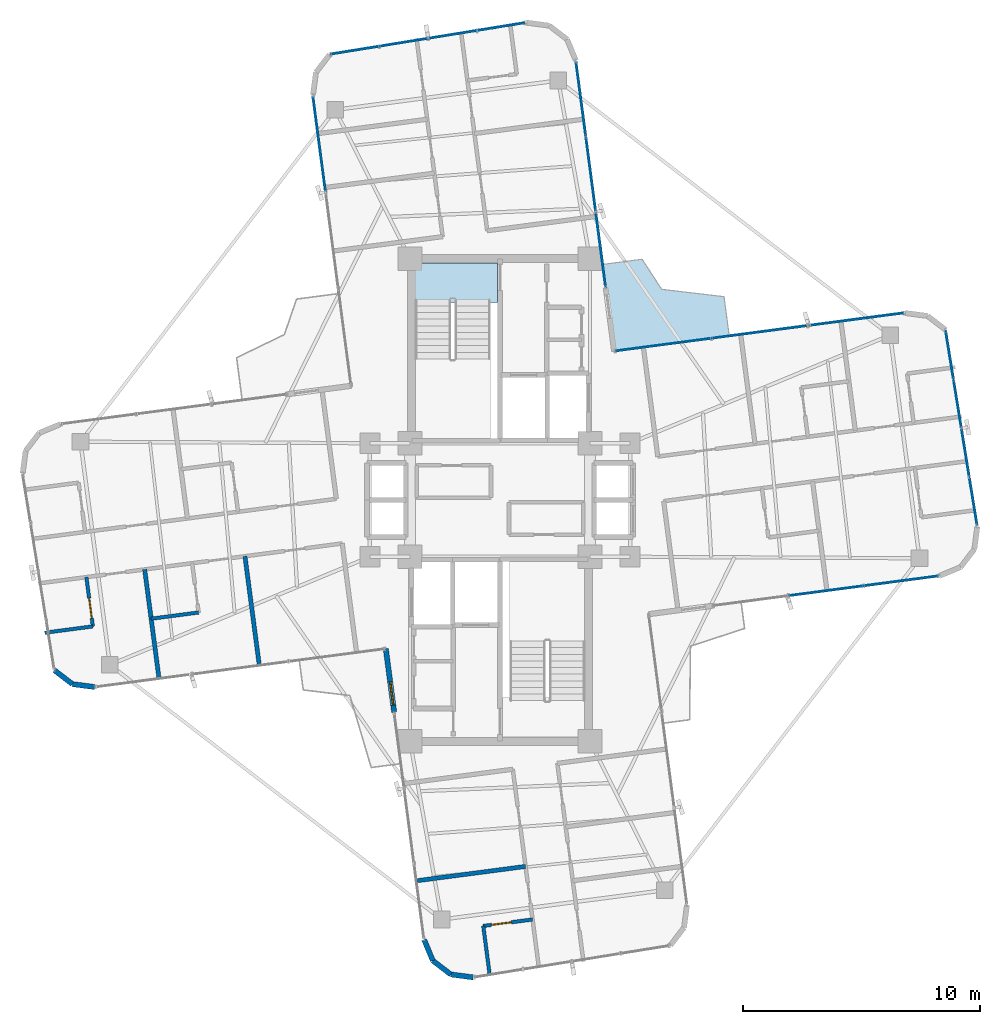
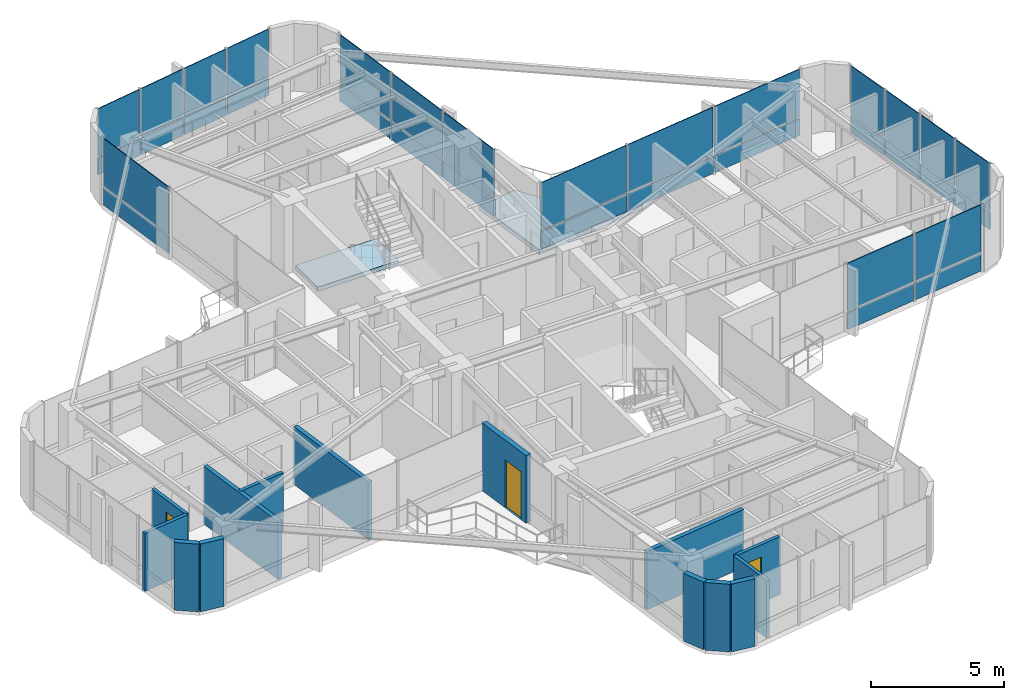
# One storey, part 18 of 23: 34 plates, 14 walls, 3 doors, 2 slabs, 3 openings, 6 elements without a shape of their own.
"""IFC4 building model written with IfcOpenShell, lengths in metres."""

import ifcopenshell
import ifcopenshell.guid

model = None  # the IFC model being written
_history = None  # IfcOwnerHistory: only IFC2X3 demands one
_inside = {}  # id of a spatial element -> (the spatial element, [elements in it])
_under = {}  # id of a project, library or spatial element -> (it, [spatial elements below it])
_declared = {}  # id of a project -> (the project, [libraries it declares])
_typed = {}  # id of a type object -> (the type object, [elements of that type])
_made_of = {}  # id of a material, layer set ... -> (it, [elements and type objects made of it])


def new_model(schema):
    """Start an empty IFC model of exactly this schema.

    Asked for "IFC4X3", IfcOpenShell would pick the latest addendum, in which some entities
    have other attributes; the version numbers below select the first issue.
    IFC2X3 requires an IfcOwnerHistory on every rooted entity: one is made here for all.
    """
    global model, _history
    if schema == "IFC4X3":
        model = ifcopenshell.file(schema_version=(4, 3, 0, 0))
    else:
        model = ifcopenshell.file(schema=schema)
    _inside.clear()
    _under.clear()
    _declared.clear()
    _typed.clear()
    _made_of.clear()
    _history = None
    if model.schema == "IFC2X3":
        org = make("IfcOrganization", Name="unknown")
        user = make(
            "IfcPersonAndOrganization",
            ThePerson=make("IfcPerson", FamilyName="unknown"),
            TheOrganization=org,
        )
        app = make(
            "IfcApplication",
            ApplicationDeveloper=org,
            Version="unknown",
            ApplicationFullName="unknown",
            ApplicationIdentifier="unknown",
        )
        _history = make(
            "IfcOwnerHistory",
            OwningUser=user,
            OwningApplication=app,
            ChangeAction="ADDED",
            CreationDate=0,
        )
    return model


def make(cls, **values):
    """One entity of the class cls with the attributes given. An attribute that is None is left unset."""
    return model.create_entity(
        cls, **{name: value for name, value in values.items() if value is not None}
    )


def rooted(cls, **values):
    """An entity with a GlobalId (a new one), such as an element, a storey or a relation."""
    return make(cls, GlobalId=ifcopenshell.guid.new(), OwnerHistory=_history, **values)


def si_unit(unit_type, name, prefix=None):
    """IfcSIUnit, for example si_unit("LENGTHUNIT", "METRE", prefix="MILLI")."""
    return make("IfcSIUnit", UnitType=unit_type, Prefix=prefix, Name=name)


def assignment(units):
    """IfcUnitAssignment: the units of a project."""
    return None if units is None else make("IfcUnitAssignment", Units=units)


def point(xyz):
    """IfcCartesianPoint."""
    return None if xyz is None else make("IfcCartesianPoint", Coordinates=xyz)


def direction(xyz):
    """IfcDirection."""
    return None if xyz is None else make("IfcDirection", DirectionRatios=xyz)


def frame(location, z_axis=None, x_axis=None):
    """IfcAxis2Placement3D, a coordinate frame: its origin and axes. An axis left out is left unset."""
    return make(
        "IfcAxis2Placement3D",
        Location=point(location),
        Axis=direction(z_axis),
        RefDirection=direction(x_axis),
    )


def frame_2d(location, x_axis=None):
    """IfcAxis2Placement2D, a coordinate frame in the plane: its origin and x axis."""
    return make(
        "IfcAxis2Placement2D", Location=point(location), RefDirection=direction(x_axis)
    )


def origin():
    """The frame at (0, 0, 0) with its axes left unset."""
    return frame((0.0, 0.0, 0.0))


def origin_2d():
    """The frame at (0, 0) in the plane with its x axis left unset."""
    return frame_2d((0.0, 0.0))


def place(relative_to, where):
    """IfcLocalPlacement: puts the frame where relative to a parent placement (None: the world)."""
    return make(
        "IfcLocalPlacement", PlacementRelTo=relative_to, RelativePlacement=where
    )


def context(
    kind, dimensions, precision=None, world=None, true_north=None, identifier=None
):
    """IfcGeometricRepresentationContext, for example the 3D "Model" context."""
    return make(
        "IfcGeometricRepresentationContext",
        ContextIdentifier=identifier,
        ContextType=kind,
        CoordinateSpaceDimension=dimensions,
        Precision=precision,
        WorldCoordinateSystem=world,
        TrueNorth=true_north,
    )


def subcontext(parent, identifier, kind, view, scale=None):
    """IfcGeometricRepresentationSubContext, for example "Body" below "Model"."""
    return make(
        "IfcGeometricRepresentationSubContext",
        ContextIdentifier=identifier,
        ContextType=kind,
        ParentContext=parent,
        TargetScale=scale,
        TargetView=view,
    )


def project(units=None, contexts=None):
    """IfcProject with its units and contexts."""
    return rooted(
        "IfcProject",
        Name="project",
        RepresentationContexts=contexts,
        UnitsInContext=assignment(units),
    )


def spatial(cls, under=None, at=None, **own):
    """A site, building, storey or space (cls), placed at a placement, below another one or the project."""
    s = rooted(cls, ObjectPlacement=at, **own)
    if under is not None:
        _under.setdefault(under.id(), (under, []))[1].append(s)
    return s


def polyline(points):
    """IfcPolyline through the points."""
    return make("IfcPolyline", Points=[point(p) for p in points])


def profile(cls, at=None, kind="AREA", **sizes):
    """A parametric profile (cls). Its sizes go by their IFC names, for example OverallWidth=200.0."""
    return make(cls, ProfileType=kind, Position=at, **sizes)


def rectangle(**sizes):
    """IfcRectangleProfileDef."""
    return profile("IfcRectangleProfileDef", **sizes)


def outline(outer, holes=None, kind="AREA"):
    """IfcArbitraryClosedProfileDef: a profile drawn as a closed curve; with holes, ...WithVoids."""
    if holes is None:
        return make("IfcArbitraryClosedProfileDef", ProfileType=kind, OuterCurve=outer)
    return make(
        "IfcArbitraryProfileDefWithVoids",
        ProfileType=kind,
        OuterCurve=outer,
        InnerCurves=holes,
    )


def extrude(swept, where, along, depth):
    """IfcExtrudedAreaSolid: the profile swept, set in the frame where, extruded along a direction by depth."""
    return make(
        "IfcExtrudedAreaSolid",
        SweptArea=swept,
        Position=where,
        ExtrudedDirection=direction(along),
        Depth=depth,
    )


def shape(context_of_items, identifier, shape_type, items):
    """IfcShapeRepresentation: the items that make up one representation, for example the "Body"."""
    return make(
        "IfcShapeRepresentation",
        ContextOfItems=context_of_items,
        RepresentationIdentifier=identifier,
        RepresentationType=shape_type,
        Items=items,
    )


def source(mapping_origin, context_of_items, identifier, shape_type, items):
    """IfcRepresentationMap: a shape defined once, which mapped items show again and again."""
    return make(
        "IfcRepresentationMap",
        MappingOrigin=mapping_origin,
        MappedRepresentation=shape(context_of_items, identifier, shape_type, items),
    )


def transform(
    local_origin,
    x_axis=None,
    y_axis=None,
    z_axis=None,
    scale=None,
    scale2=None,
    scale3=None,
    uniform=True,
):
    """IfcCartesianTransformationOperator3D, or its non-uniform kind. x_axis, y_axis, z_axis: its Axis1, 2, 3."""
    if uniform:
        return make(
            "IfcCartesianTransformationOperator3D",
            Axis1=direction(x_axis),
            Axis2=direction(y_axis),
            LocalOrigin=point(local_origin),
            Scale=scale,
            Axis3=direction(z_axis),
        )
    return make(
        "IfcCartesianTransformationOperator3DnonUniform",
        Axis1=direction(x_axis),
        Axis2=direction(y_axis),
        LocalOrigin=point(local_origin),
        Scale=scale,
        Axis3=direction(z_axis),
        Scale2=scale2,
        Scale3=scale3,
    )


def mapped(mapping_source, mapping_target):
    """IfcMappedItem: shows the shape of a source again, moved by a transform."""
    return make(
        "IfcMappedItem", MappingSource=mapping_source, MappingTarget=mapping_target
    )


def material(Name=None, Category=None):
    """IfcMaterial."""
    return make("IfcMaterial", Name=Name, Category=Category)


def layer(
    of_material, thickness, ventilated=None, Name=None, Category=None, Priority=None
):
    """IfcMaterialLayer: one layer of a wall or slab, of a material (None: an air gap)."""
    return make(
        "IfcMaterialLayer",
        Material=of_material,
        LayerThickness=thickness,
        IsVentilated=ventilated,
        Name=Name,
        Category=Category,
        Priority=Priority,
    )


def layer_set(layers, Name=None):
    """IfcMaterialLayerSet."""
    return make("IfcMaterialLayerSet", MaterialLayers=layers, LayerSetName=Name)


def made_of(thing, what):
    """Note that an element or type object is made of a material, layer set ...; save() writes the relation."""
    if what is not None:
        _made_of.setdefault(what.id(), (what, []))[1].append(thing)
    return thing


def type_object(cls, material=None, **own):
    """A type object (cls), such as IfcWallType, which elements share."""
    return made_of(rooted(cls, **own), material)


def element(
    cls,
    number,
    at=None,
    inside=None,
    cuts=None,
    type_object=None,
    material=None,
    context=None,
    identifier="Body",
    shape_type=None,
    held_by="IfcProductDefinitionShape",
    body=None,
    shapes=None,
    **own,
):
    """One element of the class cls, such as IfcWall. Its Tag is "e" and its number.

    at: its placement. inside: the storey or other place that contains it. cuts: it is an
    opening in that element (IfcRelVoidsElement). A single representation is given by context,
    identifier, shape_type and body (its items); several are given by shapes. held_by: the class
    of the entity that holds the representations. save() writes the other relations.
    """
    e = rooted(cls, Tag="e%d" % number, ObjectPlacement=at, **own)
    if body is not None:
        shapes = [shape(context, identifier, shape_type, body)]
    if shapes is not None:
        e.Representation = make(held_by, Representations=shapes)
    if inside is not None:
        _inside.setdefault(inside.id(), (inside, []))[1].append(e)
    if cuts is not None:
        rooted(
            "IfcRelVoidsElement", RelatingBuildingElement=cuts, RelatedOpeningElement=e
        )
    if type_object is not None:
        _typed.setdefault(type_object.id(), (type_object, []))[1].append(e)
    return made_of(e, material)


def fill(opening, filler):
    """IfcRelFillsElement: the door or window that sits in an opening."""
    return rooted(
        "IfcRelFillsElement",
        RelatingOpeningElement=opening,
        RelatedBuildingElement=filler,
    )


def aggregate(whole, parts):
    """IfcRelAggregates: a whole, such as a stair, and the parts it consists of."""
    return rooted("IfcRelAggregates", RelatingObject=whole, RelatedObjects=parts)


def save(model, path):
    """Write the relations noted so far, then the file.

    IfcRelAggregates (storeys below a building ...), IfcRelContainedInSpatialStructure (elements
    in a storey), IfcRelDefinesByType, IfcRelAssociatesMaterial and IfcRelDeclares: one each for
    every whole, place, type object, material and project.
    """
    for whole, parts in _under.values():
        aggregate(whole, parts)
    for where, things in _inside.values():
        rooted(
            "IfcRelContainedInSpatialStructure",
            RelatedElements=things,
            RelatingStructure=where,
        )
    for kind, things in _typed.values():
        rooted("IfcRelDefinesByType", RelatedObjects=things, RelatingType=kind)
    for what, things in _made_of.values():
        rooted("IfcRelAssociatesMaterial", RelatedObjects=things, RelatingMaterial=what)
    for by, libraries in _declared.values():
        rooted("IfcRelDeclares", RelatingContext=by, RelatedDefinitions=libraries)
    model.write(path)


model = new_model("IFC4")

# Units and contexts
model_context = context("Model", 3, precision=1e-05, world=origin(), true_north=direction((0.0, 1.0)))
body_context = subcontext(model_context, "Body", "Model", "MODEL_VIEW")
ifc_project = project(units=[si_unit("LENGTHUNIT", "METRE"), si_unit("AREAUNIT", "SQUARE_METRE"), si_unit("VOLUMEUNIT", "CUBIC_METRE"), si_unit("PLANEANGLEUNIT", "RADIAN"), si_unit("MASSUNIT", "GRAM", prefix="KILO")], contexts=[model_context])

# Site, building, storey
site_placement = place(None, origin())
site = spatial("IfcSite", under=ifc_project, at=site_placement, CompositionType="ELEMENT")
building_placement = place(site_placement, origin())
building = spatial("IfcBuilding", under=site, at=building_placement, Name="Sahyath Konkavel Grand Hotel", CompositionType="ELEMENT")
storey_placement = place(building_placement, frame((0.0, 0.0, 254.550048828125)))
storey = spatial("IfcBuildingStorey", under=building, at=storey_placement, Name="L71", CompositionType="ELEMENT", Elevation=254.550048828125)

# Slabs
ifc_material_1 = material(Name="Concrete C40/50", Category="concrete")
ifc_layer_1 = layer(ifc_material_1, 0.219970703125)
ifc_layer_set_1 = layer_set([ifc_layer_1], Name="Concrete C40/50")
slab_type_1 = type_object("IfcSlabType", Name="SLB-BALCONY-220", PredefinedType="FLOOR", material=ifc_layer_set_1)
slab_1_placement = place(storey_placement, frame((0.0, 0.0, -0.219970703125)))
element("IfcSlab", 1, at=slab_1_placement, inside=storey, type_object=slab_type_1, Name="L71 Winter-Garden Balcony NE", PredefinedType="FLOOR", context=body_context, shape_type="SweptSolid", body=[
    extrude(outline(polyline([(4.82470703125, 6.28759765625), (9.685546875, 6.927490234375), (9.466796875, 8.5908203125), (6.83056640625, 8.901611328125), (6.00537109375, 10.171875), (4.342041015625, 9.952880859375), (4.82470703125, 6.28759765625)])), origin(), (0.0, 0.0, 1.0), 0.219970703125),
])
ifc_layer_2 = layer(ifc_material_1, 0.199951171875)
ifc_layer_set_2 = layer_set([ifc_layer_2], Name="Concrete C40/50")
slab_type_2 = type_object("IfcSlabType", Name="SLB-STAIR-LND", PredefinedType="LANDING", material=ifc_layer_set_2)
slab_2_placement = place(storey_placement, frame((0.0, 0.0, -0.199951171875)))
element("IfcSlab", 2, at=slab_2_placement, inside=storey, type_object=slab_type_2, Name="L71 Stair ST-1 Floor Landing Slab", PredefinedType="LANDING", context=body_context, shape_type="SweptSolid", body=[
    extrude(outline(polyline([(-3.6201171875, 8.35009765625), (-0.10009765625, 8.35009765625), (-0.10009765625, 10.02001953125), (-3.6201171875, 10.02001953125), (-3.6201171875, 8.35009765625)])), origin(), (0.0, 0.0, 1.0), 0.199951171875),
])

# Curtain wall, plates
ifc_material_2 = material(Name="Anodised Bronze Aluminium & Low-E Glazing", Category="aluminium")
curtain_wall_type = type_object("IfcCurtainWallType", Name="CW-ZONE4", PredefinedType="NOTDEFINED", material=ifc_material_2)
curtain_wall_1_placement = place(storey_placement, origin())
curtain_wall_1 = element("IfcCurtainWall", 3, at=curtain_wall_1_placement, inside=storey, type_object=curtain_wall_type, Name="L71 Unitised Curtain Wall F0", PredefinedType="NOTDEFINED")
ifc_material_3 = material(Name="Warm Buff Sandstone Cladding", Category="masonry")
ifc_layer_3 = layer(ifc_material_3, 0.074951171875)
ifc_layer_set_3 = layer_set([ifc_layer_3], Name="Warm Buff Sandstone Cladding")
plate_type_1 = type_object("IfcPlateType", Name="PNL-SPANDREL-STONE", PredefinedType="SHEET", material=ifc_layer_set_3)
shared_shape_1 = source(origin(), body_context, "Body", "SweptSolid", [
    extrude(rectangle(XDim=3.12646484375, YDim=0.074951171875, at=origin_2d()), origin(), (0.0, 0.0, 1.0), 0.77001953125),
])
plate_1_placement = place(storey_placement, frame((13.7724609375, -3.839111328125, 0.0400390625), z_axis=(0.0, 0.0, 1.0), x_axis=(0.991444861374, 0.13052619222, 0.0)))
plate_1 = element("IfcPlate", 4, at=plate_1_placement, type_object=plate_type_1, Name="L71 Sandstone Relief Spandrel Panel F0-1", PredefinedType="SHEET", context=body_context, shape_type="MappedRepresentation", body=[
    mapped(shared_shape_1, transform((0.0, 0.0, 0.0), scale=1.0)),
])
plate_2_placement = place(storey_placement, frame((16.951416015625, -3.420654296875, 0.0400390625), z_axis=(0.0, 0.0, 1.0), x_axis=(0.991444861374, 0.13052619222, 0.0)))
plate_2 = element("IfcPlate", 5, at=plate_2_placement, type_object=plate_type_1, Name="L71 Sandstone Relief Spandrel Panel F0-2", PredefinedType="SHEET", context=body_context, shape_type="MappedRepresentation", body=[
    mapped(shared_shape_1, transform((0.0, 0.0, 0.0), scale=1.0)),
])

curtain_wall_2_placement = place(storey_placement, origin())
curtain_wall_2 = element("IfcCurtainWall", 6, at=curtain_wall_2_placement, inside=storey, type_object=curtain_wall_type, Name="L71 Unitised Curtain Wall F8", PredefinedType="NOTDEFINED")
plate_3_placement = place(storey_placement, frame((4.2578125, 10.593505859375, 0.0400390625), z_axis=(0.0, 0.0, 1.0), x_axis=(-0.13052619222, 0.991444861374, 0.0)))
plate_3 = element("IfcPlate", 7, at=plate_3_placement, type_object=plate_type_1, Name="L71 Sandstone Relief Spandrel Panel F8-0", PredefinedType="SHEET", context=body_context, shape_type="MappedRepresentation", body=[
    mapped(shared_shape_1, transform((0.0, 0.0, 0.0), scale=1.0)),
])
plate_4_placement = place(storey_placement, frame((3.839111328125, 13.7724609375, 0.0400390625), z_axis=(0.0, 0.0, 1.0), x_axis=(-0.13052619222, 0.991444861374, 0.0)))
plate_4 = element("IfcPlate", 8, at=plate_4_placement, type_object=plate_type_1, Name="L71 Sandstone Relief Spandrel Panel F8-1", PredefinedType="SHEET", context=body_context, shape_type="MappedRepresentation", body=[
    mapped(shared_shape_1, transform((0.0, 0.0, 0.0), scale=1.0)),
])
plate_5_placement = place(storey_placement, frame((3.420654296875, 16.951416015625, 0.0400390625), z_axis=(0.0, 0.0, 1.0), x_axis=(-0.13052619222, 0.991444861374, 0.0)))
plate_5 = element("IfcPlate", 9, at=plate_5_placement, type_object=plate_type_1, Name="L71 Sandstone Relief Spandrel Panel F8-2", PredefinedType="SHEET", context=body_context, shape_type="MappedRepresentation", body=[
    mapped(shared_shape_1, transform((0.0, 0.0, 0.0), scale=1.0)),
])

# Plate
ifc_material_4 = material(Name="Low-E Solar Control Double Glazing", Category="glass")
ifc_layer_4 = layer(ifc_material_4, 0.035888671875)
ifc_layer_set_4 = layer_set([ifc_layer_4], Name="Low-E Solar Control Double Glazing")
plate_type_2 = type_object("IfcPlateType", Name="PNL-VISION-LOWE", PredefinedType="CURTAIN_PANEL", material=ifc_layer_set_4)
shared_shape_2 = source(origin(), body_context, "Body", "SweptSolid", [
    extrude(rectangle(XDim=3.12646484375, YDim=0.035888671875, at=origin_2d()), origin(), (0.0, 0.0, 1.0), 2.179931640625),
])
plate_6_placement = place(storey_placement, frame((13.7724609375, -3.839111328125, 0.89013671875), z_axis=(0.0, 0.0, 1.0), x_axis=(0.991444861374, 0.13052619222, 0.0)))
plate_6 = element("IfcPlate", 10, at=plate_6_placement, type_object=plate_type_2, Name="L71 Low-E Vision Glazing Panel F0-1", PredefinedType="CURTAIN_PANEL", context=body_context, shape_type="MappedRepresentation", body=[
    mapped(shared_shape_2, transform((0.0, 0.0, 0.0), scale=1.0)),
])

plate_7_placement = place(storey_placement, frame((16.951416015625, -3.420654296875, 0.89013671875), z_axis=(0.0, 0.0, 1.0), x_axis=(0.991444861374, 0.13052619222, 0.0)))
plate_7 = element("IfcPlate", 11, at=plate_7_placement, type_object=plate_type_2, Name="L71 Low-E Vision Glazing Panel F0-2", PredefinedType="CURTAIN_PANEL", context=body_context, shape_type="MappedRepresentation", body=[
    mapped(shared_shape_2, transform((0.0, 0.0, 0.0), scale=1.0)),
])

aggregate(curtain_wall_1, [plate_1, plate_6, plate_2, plate_7])

plate_8_placement = place(storey_placement, frame((4.2578125, 10.593505859375, 0.89013671875), z_axis=(0.0, 0.0, 1.0), x_axis=(-0.13052619222, 0.991444861374, 0.0)))
plate_8 = element("IfcPlate", 12, at=plate_8_placement, type_object=plate_type_2, Name="L71 Low-E Vision Glazing Panel F8-0", PredefinedType="CURTAIN_PANEL", context=body_context, shape_type="MappedRepresentation", body=[
    mapped(shared_shape_2, transform((0.0, 0.0, 0.0), scale=1.0)),
])

plate_9_placement = place(storey_placement, frame((3.839111328125, 13.7724609375, 0.89013671875), z_axis=(0.0, 0.0, 1.0), x_axis=(-0.13052619222, 0.991444861374, 0.0)))
plate_9 = element("IfcPlate", 13, at=plate_9_placement, type_object=plate_type_2, Name="L71 Low-E Vision Glazing Panel F8-1", PredefinedType="CURTAIN_PANEL", context=body_context, shape_type="MappedRepresentation", body=[
    mapped(shared_shape_2, transform((0.0, 0.0, 0.0), scale=1.0)),
])

plate_10_placement = place(storey_placement, frame((3.420654296875, 16.951416015625, 0.89013671875), z_axis=(0.0, 0.0, 1.0), x_axis=(-0.13052619222, 0.991444861374, 0.0)))
plate_10 = element("IfcPlate", 14, at=plate_10_placement, type_object=plate_type_2, Name="L71 Low-E Vision Glazing Panel F8-2", PredefinedType="CURTAIN_PANEL", context=body_context, shape_type="MappedRepresentation", body=[
    mapped(shared_shape_2, transform((0.0, 0.0, 0.0), scale=1.0)),
])

aggregate(curtain_wall_2, [plate_3, plate_8, plate_4, plate_9, plate_5, plate_10])

# Curtain wall, plates
curtain_wall_3_placement = place(storey_placement, origin())
curtain_wall_3 = element("IfcCurtainWall", 15, at=curtain_wall_3_placement, inside=storey, type_object=curtain_wall_type, Name="L71 Unitised Curtain Wall F4", PredefinedType="NOTDEFINED")
shared_shape_3 = source(origin(), body_context, "Body", "SweptSolid", [
    extrude(rectangle(XDim=2.00927734375, YDim=0.074951171875, at=origin_2d()), origin(), (0.0, 0.0, 1.0), 0.77001953125),
])
plate_11_placement = place(storey_placement, frame((20.0, -0.059814453125, 0.0400390625), z_axis=(0.0, 0.0, 1.0), x_axis=(-0.159605521014, 0.987180873833, 0.0)))
plate_11 = element("IfcPlate", 16, at=plate_11_placement, type_object=plate_type_1, Name="L71 Sandstone Relief Spandrel Panel F4-0", PredefinedType="SHEET", context=body_context, shape_type="MappedRepresentation", body=[
    mapped(shared_shape_3, transform((0.0, 0.0, 0.0), scale=1.0)),
])
plate_12_placement = place(storey_placement, frame((19.666748046875, 2.002685546875, 0.0400390625), z_axis=(0.0, 0.0, 1.0), x_axis=(-0.159605521014, 0.987180873833, 0.0)))
plate_12 = element("IfcPlate", 17, at=plate_12_placement, type_object=plate_type_1, Name="L71 Sandstone Relief Spandrel Panel F4-1", PredefinedType="SHEET", context=body_context, shape_type="MappedRepresentation", body=[
    mapped(shared_shape_3, transform((0.0, 0.0, 0.0), scale=1.0)),
])
plate_13_placement = place(storey_placement, frame((19.333251953125, 4.06494140625, 0.0400390625), z_axis=(0.0, 0.0, 1.0), x_axis=(-0.159605521014, 0.987180873833, 0.0)))
plate_13 = element("IfcPlate", 18, at=plate_13_placement, type_object=plate_type_1, Name="L71 Sandstone Relief Spandrel Panel F4-2", PredefinedType="SHEET", context=body_context, shape_type="MappedRepresentation", body=[
    mapped(shared_shape_3, transform((0.0, 0.0, 0.0), scale=1.0)),
])
plate_14_placement = place(storey_placement, frame((18.999755859375, 6.127197265625, 0.0400390625), z_axis=(0.0, 0.0, 1.0), x_axis=(-0.159605521014, 0.987180873833, 0.0)))
plate_14 = element("IfcPlate", 19, at=plate_14_placement, type_object=plate_type_1, Name="L71 Sandstone Relief Spandrel Panel F4-3", PredefinedType="SHEET", context=body_context, shape_type="MappedRepresentation", body=[
    mapped(shared_shape_3, transform((0.0, 0.0, 0.0), scale=1.0)),
])

curtain_wall_4_placement = place(storey_placement, origin())
curtain_wall_4 = element("IfcCurtainWall", 20, at=curtain_wall_4_placement, inside=storey, type_object=curtain_wall_type, Name="L71 Unitised Curtain Wall F12", PredefinedType="NOTDEFINED")
plate_15_placement = place(storey_placement, frame((0.059814453125, 20.0, 0.0400390625), z_axis=(0.0, 0.0, 1.0), x_axis=(-0.987180873833, -0.159605521014, 0.0)))
plate_15 = element("IfcPlate", 21, at=plate_15_placement, type_object=plate_type_1, Name="L71 Sandstone Relief Spandrel Panel F12-0", PredefinedType="SHEET", context=body_context, shape_type="MappedRepresentation", body=[
    mapped(shared_shape_3, transform((0.0, 0.0, 0.0), scale=1.0)),
])
plate_16_placement = place(storey_placement, frame((-2.002685546875, 19.666748046875, 0.0400390625), z_axis=(0.0, 0.0, 1.0), x_axis=(-0.987180873833, -0.159605521014, 0.0)))
plate_16 = element("IfcPlate", 22, at=plate_16_placement, type_object=plate_type_1, Name="L71 Sandstone Relief Spandrel Panel F12-1", PredefinedType="SHEET", context=body_context, shape_type="MappedRepresentation", body=[
    mapped(shared_shape_3, transform((0.0, 0.0, 0.0), scale=1.0)),
])
plate_17_placement = place(storey_placement, frame((-4.06494140625, 19.333251953125, 0.0400390625), z_axis=(0.0, 0.0, 1.0), x_axis=(-0.987180873833, -0.159605521014, 0.0)))
plate_17 = element("IfcPlate", 23, at=plate_17_placement, type_object=plate_type_1, Name="L71 Sandstone Relief Spandrel Panel F12-2", PredefinedType="SHEET", context=body_context, shape_type="MappedRepresentation", body=[
    mapped(shared_shape_3, transform((0.0, 0.0, 0.0), scale=1.0)),
])
plate_18_placement = place(storey_placement, frame((-6.127197265625, 18.999755859375, 0.0400390625), z_axis=(0.0, 0.0, 1.0), x_axis=(-0.987180873833, -0.159605521014, 0.0)))
plate_18 = element("IfcPlate", 24, at=plate_18_placement, type_object=plate_type_1, Name="L71 Sandstone Relief Spandrel Panel F12-3", PredefinedType="SHEET", context=body_context, shape_type="MappedRepresentation", body=[
    mapped(shared_shape_3, transform((0.0, 0.0, 0.0), scale=1.0)),
])

# Plate
shared_shape_4 = source(origin(), body_context, "Body", "SweptSolid", [
    extrude(rectangle(XDim=2.00927734375, YDim=0.035888671875, at=origin_2d()), origin(), (0.0, 0.0, 1.0), 2.179931640625),
])
plate_19_placement = place(storey_placement, frame((20.0, -0.059814453125, 0.89013671875), z_axis=(0.0, 0.0, 1.0), x_axis=(-0.159605521014, 0.987180873833, 0.0)))
plate_19 = element("IfcPlate", 25, at=plate_19_placement, type_object=plate_type_2, Name="L71 Low-E Vision Glazing Panel F4-0", PredefinedType="CURTAIN_PANEL", context=body_context, shape_type="MappedRepresentation", body=[
    mapped(shared_shape_4, transform((0.0, 0.0, 0.0), scale=1.0)),
])

plate_20_placement = place(storey_placement, frame((19.666748046875, 2.002685546875, 0.89013671875), z_axis=(0.0, 0.0, 1.0), x_axis=(-0.159605521014, 0.987180873833, 0.0)))
plate_20 = element("IfcPlate", 26, at=plate_20_placement, type_object=plate_type_2, Name="L71 Low-E Vision Glazing Panel F4-1", PredefinedType="CURTAIN_PANEL", context=body_context, shape_type="MappedRepresentation", body=[
    mapped(shared_shape_4, transform((0.0, 0.0, 0.0), scale=1.0)),
])

plate_21_placement = place(storey_placement, frame((19.333251953125, 4.06494140625, 0.89013671875), z_axis=(0.0, 0.0, 1.0), x_axis=(-0.159605521014, 0.987180873833, 0.0)))
plate_21 = element("IfcPlate", 27, at=plate_21_placement, type_object=plate_type_2, Name="L71 Low-E Vision Glazing Panel F4-2", PredefinedType="CURTAIN_PANEL", context=body_context, shape_type="MappedRepresentation", body=[
    mapped(shared_shape_4, transform((0.0, 0.0, 0.0), scale=1.0)),
])

plate_22_placement = place(storey_placement, frame((18.999755859375, 6.127197265625, 0.89013671875), z_axis=(0.0, 0.0, 1.0), x_axis=(-0.159605521014, 0.987180873833, 0.0)))
plate_22 = element("IfcPlate", 28, at=plate_22_placement, type_object=plate_type_2, Name="L71 Low-E Vision Glazing Panel F4-3", PredefinedType="CURTAIN_PANEL", context=body_context, shape_type="MappedRepresentation", body=[
    mapped(shared_shape_4, transform((0.0, 0.0, 0.0), scale=1.0)),
])

aggregate(curtain_wall_3, [plate_11, plate_19, plate_12, plate_20, plate_13, plate_21, plate_14, plate_22])

plate_23_placement = place(storey_placement, frame((0.059814453125, 20.0, 0.89013671875), z_axis=(0.0, 0.0, 1.0), x_axis=(-0.987180873833, -0.159605521014, 0.0)))
plate_23 = element("IfcPlate", 29, at=plate_23_placement, type_object=plate_type_2, Name="L71 Low-E Vision Glazing Panel F12-0", PredefinedType="CURTAIN_PANEL", context=body_context, shape_type="MappedRepresentation", body=[
    mapped(shared_shape_4, transform((0.0, 0.0, 0.0), scale=1.0)),
])

plate_24_placement = place(storey_placement, frame((-2.002685546875, 19.666748046875, 0.89013671875), z_axis=(0.0, 0.0, 1.0), x_axis=(-0.987180873833, -0.159605521014, 0.0)))
plate_24 = element("IfcPlate", 30, at=plate_24_placement, type_object=plate_type_2, Name="L71 Low-E Vision Glazing Panel F12-1", PredefinedType="CURTAIN_PANEL", context=body_context, shape_type="MappedRepresentation", body=[
    mapped(shared_shape_4, transform((0.0, 0.0, 0.0), scale=1.0)),
])

plate_25_placement = place(storey_placement, frame((-4.06494140625, 19.333251953125, 0.89013671875), z_axis=(0.0, 0.0, 1.0), x_axis=(-0.987180873833, -0.159605521014, 0.0)))
plate_25 = element("IfcPlate", 31, at=plate_25_placement, type_object=plate_type_2, Name="L71 Low-E Vision Glazing Panel F12-2", PredefinedType="CURTAIN_PANEL", context=body_context, shape_type="MappedRepresentation", body=[
    mapped(shared_shape_4, transform((0.0, 0.0, 0.0), scale=1.0)),
])

plate_26_placement = place(storey_placement, frame((-6.127197265625, 18.999755859375, 0.89013671875), z_axis=(0.0, 0.0, 1.0), x_axis=(-0.987180873833, -0.159605521014, 0.0)))
plate_26 = element("IfcPlate", 32, at=plate_26_placement, type_object=plate_type_2, Name="L71 Low-E Vision Glazing Panel F12-3", PredefinedType="CURTAIN_PANEL", context=body_context, shape_type="MappedRepresentation", body=[
    mapped(shared_shape_4, transform((0.0, 0.0, 0.0), scale=1.0)),
])

aggregate(curtain_wall_4, [plate_15, plate_23, plate_16, plate_24, plate_17, plate_25, plate_18, plate_26])

# Curtain wall, plates
curtain_wall_5_placement = place(storey_placement, origin())
curtain_wall_5 = element("IfcCurtainWall", 33, at=curtain_wall_5_placement, inside=storey, type_object=curtain_wall_type, Name="L71 Unitised Curtain Wall F7", PredefinedType="NOTDEFINED")
shared_shape_5 = source(origin(), body_context, "Body", "SweptSolid", [
    extrude(rectangle(XDim=4.0263671875, YDim=0.074951171875, at=origin_2d()), origin(), (0.0, 0.0, 1.0), 0.77001953125),
])
plate_27_placement = place(storey_placement, frame((15.042236328125, 7.6328125, 0.0400390625), z_axis=(0.0, 0.0, 1.0), x_axis=(-0.991444861374, -0.13052619222, 0.0)))
plate_27 = element("IfcPlate", 34, at=plate_27_placement, type_object=plate_type_1, Name="L71 Sandstone Relief Spandrel Panel F7-0", PredefinedType="SHEET", context=body_context, shape_type="MappedRepresentation", body=[
    mapped(shared_shape_5, transform((0.0, 0.0, 0.0), scale=1.0)),
])
plate_28_placement = place(storey_placement, frame((10.970947265625, 7.0966796875, 0.0400390625), z_axis=(0.0, 0.0, 1.0), x_axis=(-0.991444861374, -0.13052619222, 0.0)))
plate_28 = element("IfcPlate", 35, at=plate_28_placement, type_object=plate_type_1, Name="L71 Sandstone Relief Spandrel Panel F7-1", PredefinedType="SHEET", context=body_context, shape_type="MappedRepresentation", body=[
    mapped(shared_shape_5, transform((0.0, 0.0, 0.0), scale=1.0)),
])
plate_29_placement = place(storey_placement, frame((6.89990234375, 6.560791015625, 0.0400390625), z_axis=(0.0, 0.0, 1.0), x_axis=(-0.991444861374, -0.13052619222, 0.0)))
plate_29 = element("IfcPlate", 36, at=plate_29_placement, type_object=plate_type_1, Name="L71 Sandstone Relief Spandrel Panel F7-2", PredefinedType="SHEET", context=body_context, shape_type="MappedRepresentation", body=[
    mapped(shared_shape_5, transform((0.0, 0.0, 0.0), scale=1.0)),
])

# Curtain wall, plate
curtain_wall_6_placement = place(storey_placement, origin())
curtain_wall_6 = element("IfcCurtainWall", 37, at=curtain_wall_6_placement, inside=storey, type_object=curtain_wall_type, Name="L71 Unitised Curtain Wall F15", PredefinedType="NOTDEFINED")
plate_30_placement = place(storey_placement, frame((-7.6328125, 15.042236328125, 0.0400390625), z_axis=(0.0, 0.0, 1.0), x_axis=(0.13052619222, -0.991444861374, 0.0)))
plate_30 = element("IfcPlate", 38, at=plate_30_placement, type_object=plate_type_1, Name="L71 Sandstone Relief Spandrel Panel F15-0", PredefinedType="SHEET", context=body_context, shape_type="MappedRepresentation", body=[
    mapped(shared_shape_5, transform((0.0, 0.0, 0.0), scale=1.0)),
])

# Plate
shared_shape_6 = source(origin(), body_context, "Body", "SweptSolid", [
    extrude(rectangle(XDim=4.0263671875, YDim=0.035888671875, at=origin_2d()), origin(), (0.0, 0.0, 1.0), 2.179931640625),
])
plate_31_placement = place(storey_placement, frame((15.042236328125, 7.6328125, 0.89013671875), z_axis=(0.0, 0.0, 1.0), x_axis=(-0.991444861374, -0.13052619222, 0.0)))
plate_31 = element("IfcPlate", 39, at=plate_31_placement, type_object=plate_type_2, Name="L71 Low-E Vision Glazing Panel F7-0", PredefinedType="CURTAIN_PANEL", context=body_context, shape_type="MappedRepresentation", body=[
    mapped(shared_shape_6, transform((0.0, 0.0, 0.0), scale=1.0)),
])

plate_32_placement = place(storey_placement, frame((10.970947265625, 7.0966796875, 0.89013671875), z_axis=(0.0, 0.0, 1.0), x_axis=(-0.991444861374, -0.13052619222, 0.0)))
plate_32 = element("IfcPlate", 40, at=plate_32_placement, type_object=plate_type_2, Name="L71 Low-E Vision Glazing Panel F7-1", PredefinedType="CURTAIN_PANEL", context=body_context, shape_type="MappedRepresentation", body=[
    mapped(shared_shape_6, transform((0.0, 0.0, 0.0), scale=1.0)),
])

plate_33_placement = place(storey_placement, frame((6.89990234375, 6.560791015625, 0.89013671875), z_axis=(0.0, 0.0, 1.0), x_axis=(-0.991444861374, -0.13052619222, 0.0)))
plate_33 = element("IfcPlate", 41, at=plate_33_placement, type_object=plate_type_2, Name="L71 Low-E Vision Glazing Panel F7-2", PredefinedType="CURTAIN_PANEL", context=body_context, shape_type="MappedRepresentation", body=[
    mapped(shared_shape_6, transform((0.0, 0.0, 0.0), scale=1.0)),
])

aggregate(curtain_wall_5, [plate_27, plate_31, plate_28, plate_32, plate_29, plate_33])

plate_34_placement = place(storey_placement, frame((-7.6328125, 15.042236328125, 0.89013671875), z_axis=(0.0, 0.0, 1.0), x_axis=(0.13052619222, -0.991444861374, 0.0)))
plate_34 = element("IfcPlate", 42, at=plate_34_placement, type_object=plate_type_2, Name="L71 Low-E Vision Glazing Panel F15-0", PredefinedType="CURTAIN_PANEL", context=body_context, shape_type="MappedRepresentation", body=[
    mapped(shared_shape_6, transform((0.0, 0.0, 0.0), scale=1.0)),
])

aggregate(curtain_wall_6, [plate_30, plate_34])

# Walls
ifc_material_5 = material(Name="Warm Buff Sandstone Insulated Concrete C40/50", Category="masonry")
ifc_layer_5 = layer(ifc_material_5, 0.219970703125)
ifc_layer_set_5 = layer_set([ifc_layer_5], Name="Warm Buff Sandstone Insulated Concrete C40/50")
wall_type_1 = type_object("IfcWallType", Name="WLL-BALC-THRESH", PredefinedType="STANDARD", material=ifc_layer_set_5)
for number, where, z_axis, x_axis, name in (
    (43, (-18.82666015625, -7.197998046875, 0.0), (0.0, 0.0, 1.0), (0.793343685778, -0.608774010809, 0.0), "L71 Rounded Corner Sandstone Pier 21"),
    (44, (-18.06689453125, -7.781005859375, 0.0), (0.0, 0.0, 1.0), (0.991444747987, -0.130527053476, 0.0), "L71 Rounded Corner Sandstone Pier 22"),
):
    element("IfcWall", number, at=place(storey_placement, frame(where, z_axis=z_axis, x_axis=x_axis)), inside=storey, type_object=wall_type_1, Name=name, PredefinedType="STANDARD", context=body_context, shape_type="SweptSolid", body=[
        extrude(rectangle(XDim=0.957763671875, YDim=0.219970703125, at=frame_2d((0.47900390625, 0.0))), origin(), (0.0, 0.0, 1.0), 3.10986328125),
    ])

# Wall, opening, door
wall_1_placement = place(storey_placement, frame((-4.82470703125, -6.28759765625, 0.0), z_axis=(0.0, 0.0, 1.0), x_axis=(0.130576147498, -0.991438283356, 0.0)))
wall_1 = element("IfcWall", 45, at=wall_1_placement, inside=storey, type_object=wall_type_1, Name="L71 Winter-Garden Threshold Wall 24", PredefinedType="STANDARD", context=body_context, shape_type="SweptSolid", body=[
    extrude(rectangle(XDim=2.699951171875, YDim=0.219970703125, at=frame_2d((1.35009765625, 0.0))), origin(), (0.0, 0.0, 1.0), 3.10986328125),
])
opening_1_placement = place(wall_1_placement, frame((1.39990234375, 0.0, 0.0)))
opening_1 = element("IfcOpeningElement", 46, at=opening_1_placement, cuts=wall_1, Name="Opening D-TR1", PredefinedType="OPENING", context=body_context, shape_type="SweptSolid", body=[
    extrude(rectangle(XDim=1.0, YDim=2.199951171875, at=frame_2d((0.5, 1.10009765625))), frame((0.0, 0.1201171875, 0.0), z_axis=(0.0, -1.0, 0.0), x_axis=(1.0, 0.0, 0.0)), (0.0, 0.0, 1.0), 0.239990234375),
])
door_type_1 = type_object("IfcDoorType", Name="DR-TERRACE-1000", OperationType="NOTDEFINED", PredefinedType="DOOR", material=ifc_material_2)
shared_shape_7 = source(origin(), body_context, "Body", "SweptSolid", [
    extrude(rectangle(XDim=1.0, YDim=0.050048828125, at=origin_2d()), origin(), (0.0, 0.0, 1.0), 2.199951171875),
])
door_1_placement = place(opening_1_placement, frame((0.5, 0.0, 0.0)))
door_1 = element("IfcDoor", 47, at=door_1_placement, inside=storey, type_object=door_type_1, Name="L71 Winter-Garden Terrace Door 24", OperationType="SINGLE_SWING_LEFT", OverallHeight=2.199951171875, OverallWidth=1.0, PredefinedType="DOOR", context=body_context, shape_type="MappedRepresentation", body=[
    mapped(shared_shape_7, transform((0.0, 0.0, 0.0), scale=1.0)),
])
fill(opening_1, door_1)

# Walls
for number, where, z_axis, x_axis, name in (
    (48, (-3.206298828125, -18.58056640625, 0.0), (0.0, 0.0, 1.0), (0.382967263559, -0.923761914696, 0.0), "L71 Rounded Corner Sandstone Pier 25"),
    (49, (-2.839599609375, -19.465087890625, 0.0), (0.0, 0.0, 1.0), (0.793249178392, -0.608897151398, 0.0), "L71 Rounded Corner Sandstone Pier 26"),
):
    element("IfcWall", number, at=place(storey_placement, frame(where, z_axis=z_axis, x_axis=x_axis)), inside=storey, type_object=wall_type_1, Name=name, PredefinedType="STANDARD", context=body_context, shape_type="SweptSolid", body=[
        extrude(rectangle(XDim=0.95751953125, YDim=0.219970703125, at=frame_2d((0.478759765625, 0.0))), origin(), (0.0, 0.0, 1.0), 3.10986328125),
    ])
wall_2_placement = place(storey_placement, frame((-2.080078125, -20.048095703125, 0.0), z_axis=(0.0, 0.0, 1.0), x_axis=(0.991444747987, -0.130527053476, 0.0)))
element("IfcWall", 50, at=wall_2_placement, inside=storey, type_object=wall_type_1, Name="L71 Rounded Corner Sandstone Pier 27", PredefinedType="STANDARD", context=body_context, shape_type="SweptSolid", body=[
    extrude(rectangle(XDim=0.957763671875, YDim=0.219970703125, at=frame_2d((0.47900390625, 0.0))), origin(), (0.0, 0.0, 1.0), 3.10986328125),
])
ifc_material_6 = material(Name="Twin-Stud Acoustic Gypsum Plasterboard Partition")
ifc_layer_6 = layer(ifc_material_6, 0.179931640625)
ifc_layer_set_6 = layer_set([ifc_layer_6], Name="Twin-Stud Acoustic Gypsum Plasterboard Partition")
wall_type_2 = type_object("IfcWallType", Name="WLL-DEMISE-180", PredefinedType="PARTITIONING", material=ifc_layer_set_6)
for number, where, z_axis, x_axis, name in (
    (51, (-10.77685546875, -2.376953125, 0.0), (0.0, 0.0, 1.0), (0.130499778621, -0.991448338432, 0.0), "L71 Partition W-W1L-DEM"),
    (52, (-15.014404296875, -2.934814453125, 0.0), (0.0, 0.0, 1.0), (0.130551902153, -0.991441476258, 0.0), "L71 Partition W-W2L-DEM"),
):
    element("IfcWall", number, at=place(storey_placement, frame(where, z_axis=z_axis, x_axis=x_axis)), inside=storey, type_object=wall_type_2, Name=name, PredefinedType="PARTITIONING", context=body_context, shape_type="SweptSolid", body=[
        extrude(rectangle(XDim=4.60400390625, YDim=0.179931640625, at=frame_2d((2.302001953125, 0.0))), origin(), (0.0, 0.0, 1.0), 2.659912109375),
    ])
wall_3_placement = place(storey_placement, frame((1.080078125, -15.4833984375, 0.0), z_axis=(0.0, 0.0, 1.0), x_axis=(-0.991440572409, -0.130558766007, 0.0)))
element("IfcWall", 53, at=wall_3_placement, inside=storey, type_object=wall_type_2, Name="L71 Partition S-S1R-DEM", PredefinedType="PARTITIONING", context=body_context, shape_type="SweptSolid", body=[
    extrude(rectangle(XDim=4.603759765625, YDim=0.179931640625, at=frame_2d((2.3017578125, 0.0))), origin(), (0.0, 0.0, 1.0), 2.659912109375),
])
ifc_material_7 = material(Name="Fire-Rated Gypsum Plasterboard Partition")
ifc_layer_7 = layer(ifc_material_7, 0.14990234375)
ifc_layer_set_7 = layer_set([ifc_layer_7], Name="Fire-Rated Gypsum Plasterboard Partition")
wall_type_3 = type_object("IfcWallType", Name="WLL-PART-150", PredefinedType="PARTITIONING", material=ifc_layer_set_7)
wall_4_placement = place(storey_placement, frame((-12.733642578125, -4.752685546875, 0.0), z_axis=(0.0, 0.0, 1.0), x_axis=(-0.99144567119, -0.130520040909, 0.0)))
element("IfcWall", 54, at=wall_4_placement, inside=storey, type_object=wall_type_3, Name="L71 Partition W-W2L-BF", PredefinedType="PARTITIONING", context=body_context, shape_type="SweptSolid", body=[
    extrude(rectangle(XDim=2.02392578125, YDim=0.14990234375, at=frame_2d((1.011962890625, 0.0))), origin(), (0.0, 0.0, 1.0), 2.659912109375),
])

# Wall, opening, door
wall_5_placement = place(storey_placement, frame((-17.47705078125, -3.259033203125, 0.0), z_axis=(0.0, 0.0, 1.0), x_axis=(0.130556761174, -0.991440836415, 0.0)))
wall_5 = element("IfcWall", 55, at=wall_5_placement, inside=storey, type_object=wall_type_3, Name="L71 Partition W-W3L-BS", PredefinedType="PARTITIONING", context=body_context, shape_type="SweptSolid", body=[
    extrude(rectangle(XDim=2.10009765625, YDim=0.14990234375, at=frame_2d((1.050048828125, 0.0))), origin(), (0.0, 0.0, 1.0), 2.659912109375),
])
opening_2_placement = place(wall_5_placement, frame((0.89990234375, 0.0, 0.0)))
opening_2 = element("IfcOpeningElement", 56, at=opening_2_placement, cuts=wall_5, Name="Opening D-BT85", PredefinedType="OPENING", context=body_context, shape_type="SweptSolid", body=[
    extrude(rectangle(XDim=0.85009765625, YDim=2.10009765625, at=frame_2d((0.425048828125, 1.050048828125))), frame((0.0, 0.0849609375, 0.0), z_axis=(0.0, -1.0, 0.0), x_axis=(1.0, 0.0, 0.0)), (0.0, 0.0, 1.0), 0.169921875),
])
ifc_material_8 = material(Name="Moisture-Resistant Teak Bathroom Door")
door_type_2 = type_object("IfcDoorType", Name="DR-BATH-850", OperationType="NOTDEFINED", PredefinedType="DOOR", material=ifc_material_8)
shared_shape_8 = source(origin(), body_context, "Body", "SweptSolid", [
    extrude(rectangle(XDim=0.85009765625, YDim=0.050048828125, at=origin_2d()), origin(), (0.0, 0.0, 1.0), 2.10009765625),
])
door_2_placement = place(opening_2_placement, frame((0.425048828125, 0.0, 0.0)))
door_2 = element("IfcDoor", 57, at=door_2_placement, inside=storey, type_object=door_type_2, Name="L71 Door W-W3L-BD", OperationType="SINGLE_SWING_LEFT", OverallHeight=2.10009765625, OverallWidth=0.85009765625, PredefinedType="DOOR", context=body_context, shape_type="MappedRepresentation", body=[
    mapped(shared_shape_8, transform((0.0, 0.0, 0.0), scale=1.0)),
])
fill(opening_2, door_2)

# Wall
wall_6_placement = place(storey_placement, frame((-17.202880859375, -5.341064453125, 0.0), z_axis=(0.0, 0.0, 1.0), x_axis=(-0.991446998513, -0.130509958008, 0.0)))
element("IfcWall", 58, at=wall_6_placement, inside=storey, type_object=wall_type_3, Name="L71 Partition W-W3L-BF", PredefinedType="PARTITIONING", context=body_context, shape_type="SweptSolid", body=[
    extrude(rectangle(XDim=2.05029296875, YDim=0.14990234375, at=frame_2d((1.025146484375, 0.0))), origin(), (0.0, 0.0, 1.0), 2.659912109375),
])

# Wall, opening, door
wall_7_placement = place(storey_placement, frame((1.37548828125, -17.72509765625, 0.0), z_axis=(0.0, 0.0, 1.0), x_axis=(-0.991442817683, -0.130541714651, 0.0)))
wall_7 = element("IfcWall", 59, at=wall_7_placement, inside=storey, type_object=wall_type_3, Name="L71 Partition S-S2R-BS", PredefinedType="PARTITIONING", context=body_context, shape_type="SweptSolid", body=[
    extrude(rectangle(XDim=2.100341796875, YDim=0.14990234375, at=frame_2d((1.05029296875, 0.0))), origin(), (0.0, 0.0, 1.0), 2.659912109375),
])
opening_3_placement = place(wall_7_placement, frame((0.89990234375, 0.0, 0.0)))
opening_3 = element("IfcOpeningElement", 60, at=opening_3_placement, cuts=wall_7, Name="Opening D-BT85", PredefinedType="OPENING", context=body_context, shape_type="SweptSolid", body=[
    extrude(rectangle(XDim=0.85009765625, YDim=2.10009765625, at=frame_2d((0.425048828125, 1.050048828125))), frame((0.0, 0.0849609375, 0.0), z_axis=(0.0, -1.0, 0.0), x_axis=(1.0, 0.0, 0.0)), (0.0, 0.0, 1.0), 0.169921875),
])
door_3_placement = place(opening_3_placement, frame((0.425048828125, 0.0, 0.0)))
door_3 = element("IfcDoor", 61, at=door_3_placement, inside=storey, type_object=door_type_2, Name="L71 Door S-S2R-BD", OperationType="SINGLE_SWING_LEFT", OverallHeight=2.10009765625, OverallWidth=0.85009765625, PredefinedType="DOOR", context=body_context, shape_type="MappedRepresentation", body=[
    mapped(shared_shape_8, transform((0.0, 0.0, 0.0), scale=1.0)),
])
fill(opening_3, door_3)

# Wall
wall_8_placement = place(storey_placement, frame((-0.706787109375, -17.999267578125, 0.0), z_axis=(0.0, 0.0, 1.0), x_axis=(0.13052536781, -0.991444969909, 0.0)))
element("IfcWall", 62, at=wall_8_placement, inside=storey, type_object=wall_type_3, Name="L71 Partition S-S2R-BF", PredefinedType="PARTITIONING", context=body_context, shape_type="SweptSolid", body=[
    extrude(rectangle(XDim=2.050048828125, YDim=0.14990234375, at=frame_2d((1.02490234375, 0.0))), origin(), (0.0, 0.0, 1.0), 2.659912109375),
])

save(model, "model.ifc")
